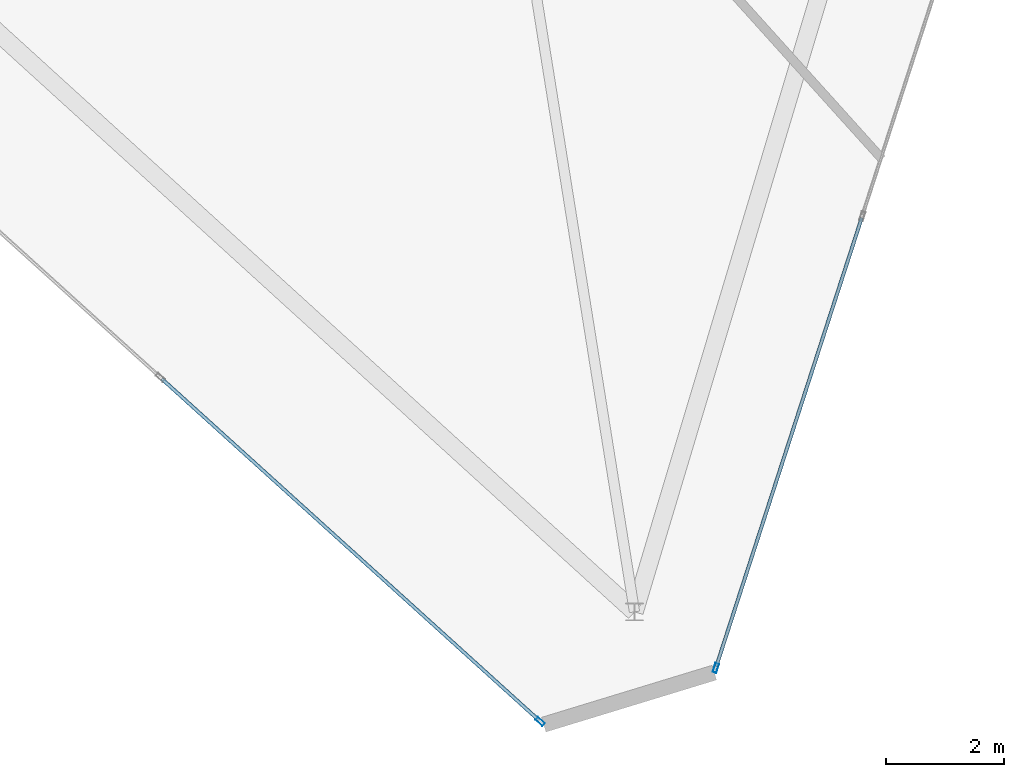
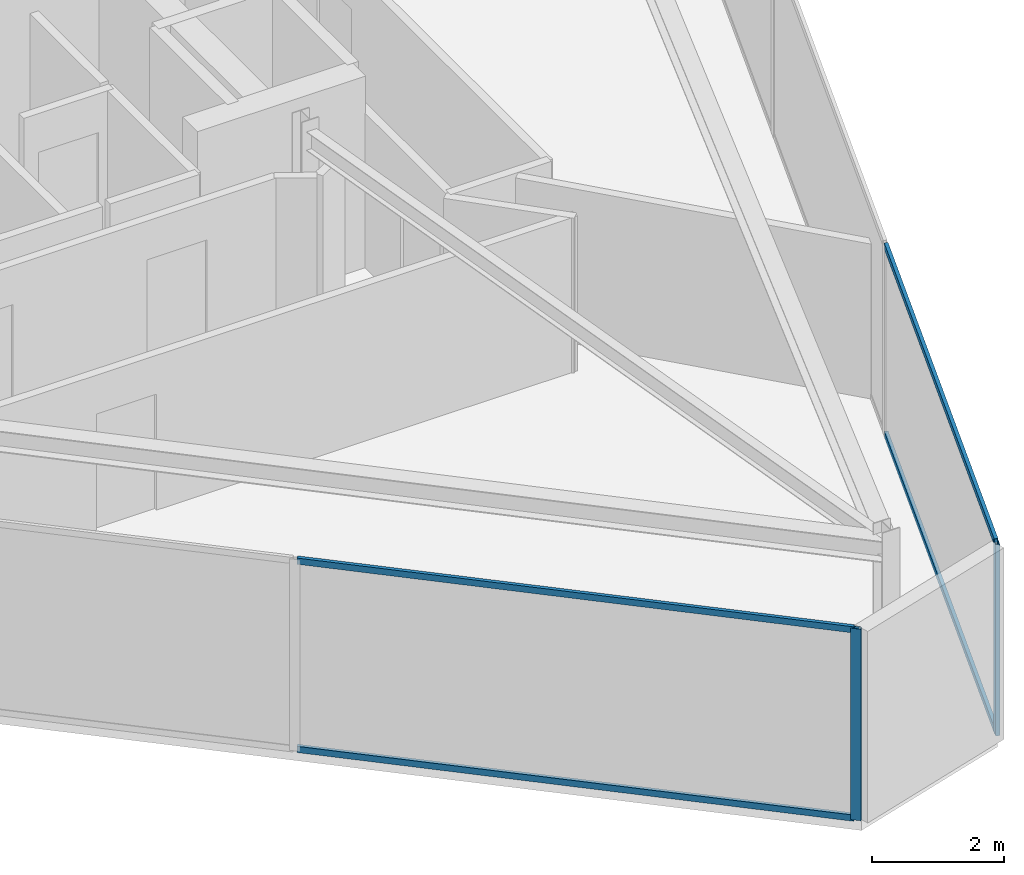
# One storey, part 5 of 16: 6 members, 2 elements without a shape of their own.
"""IFC4 building model written with IfcOpenShell, lengths in metres."""

from ifc_helpers import new_model, si_unit, direction, frame, origin, origin_2d, place, context, subcontext, project, spatial, hollow_rectangle, extrude, material, layer, layer_set, material_profile, profile_set, type_object, element, aggregate, save


model = new_model("IFC4")

# Units and contexts
model_context = context("Model", 3, precision=1e-05, world=origin(), true_north=direction((0.0, 1.0)))
body_context = subcontext(model_context, "Body", "Model", "MODEL_VIEW")
ifc_project = project(units=[si_unit("LENGTHUNIT", "METRE"), si_unit("AREAUNIT", "SQUARE_METRE"), si_unit("VOLUMEUNIT", "CUBIC_METRE"), si_unit("PLANEANGLEUNIT", "RADIAN"), si_unit("MASSUNIT", "GRAM", prefix="KILO")], contexts=[model_context])

# Site, building, storey
site_placement = place(None, origin())
site = spatial("IfcSite", under=ifc_project, at=site_placement, CompositionType="ELEMENT")
building_placement = place(site_placement, origin())
building = spatial("IfcBuilding", under=site, at=building_placement, Name="Qianvela Tower", CompositionType="ELEMENT")
storey_placement = place(building_placement, frame((0.0, 0.0, 367.550048828125)))
storey = spatial("IfcBuildingStorey", under=building, at=storey_placement, Name="L95", CompositionType="ELEMENT", Elevation=367.550048828125)

# Curtain wall, member
ifc_material_1 = material(Name="Anodised Architectural Aluminium and Low-E Glass", Category="aluminium")
ifc_layer = layer(ifc_material_1, 0.159912109375)
ifc_layer_set = layer_set([ifc_layer], Name="Anodised Architectural Aluminium and Low-E Glass")
curtain_wall_type = type_object("IfcCurtainWallType", Name="CW-CROWN", PredefinedType="USERDEFINED", material=ifc_layer_set)
curtain_wall_1_placement = place(storey_placement, origin())
curtain_wall_1 = element("IfcCurtainWall", 1, at=curtain_wall_1_placement, inside=storey, type_object=curtain_wall_type, Name="L95 CW-CROWN Curtain Wall 04", ObjectType="CURTAIN_WALL_SYSTEM", PredefinedType="USERDEFINED")
ifc_material_2 = material(Name="Anodised Architectural Aluminium 6063-T6", Category="aluminium")
ifc_material_profile_1 = material_profile(ifc_material_2, hollow_rectangle(XDim=0.06494140625, YDim=0.159912109375, WallThickness=0.0048828125, at=origin_2d()), Name="ALU-MULL-65x160")
ifc_profile_set_1 = profile_set([ifc_material_profile_1], Name="Anodised Architectural Aluminium 6063-T6")
member_type_1 = type_object("IfcMemberType", Name="CW-CROWN-MULL", PredefinedType="MULLION", material=ifc_profile_set_1)
member_1_placement = place(storey_placement, frame((38.999755859375, 8.163818359375, 0.0), z_axis=(0.0, 0.0, 1.0), x_axis=(0.671204546538, 0.741272188003, 0.0)))
member_1 = element("IfcMember", 2, at=member_1_placement, type_object=member_type_1, Name="CW-8 mullion 4", PredefinedType="MULLION", context=body_context, shape_type="SweptSolid", body=[
    extrude(hollow_rectangle(XDim=0.06494140625, YDim=0.159912109375, WallThickness=0.0048828125, at=origin_2d()), origin(), (0.0, 0.0, 1.0), 3.550048828125),
])

curtain_wall_2_placement = place(storey_placement, origin())
curtain_wall_2 = element("IfcCurtainWall", 3, at=curtain_wall_2_placement, inside=storey, type_object=curtain_wall_type, Name="L95 CW-CROWN Curtain Wall 06", ObjectType="CURTAIN_WALL_SYSTEM", PredefinedType="USERDEFINED")
member_2_placement = place(storey_placement, frame((41.98681640625, 9.072021484375, 0.0), z_axis=(0.0, 0.0, 1.0), x_axis=(-0.951255578594, 0.30840367085, 0.0)))
member_2 = element("IfcMember", 4, at=member_2_placement, type_object=member_type_1, Name="CW-8 mullion 1", PredefinedType="MULLION", context=body_context, shape_type="SweptSolid", body=[
    extrude(hollow_rectangle(XDim=0.06494140625, YDim=0.159912109375, WallThickness=0.0048828125, at=origin_2d()), origin(), (0.0, 0.0, 1.0), 3.550048828125),
])

# Member
ifc_material_3 = material(Name="Anodised Architectural Aluminium 6063-T6", Category="aluminium")
ifc_material_profile_2 = material_profile(ifc_material_3, hollow_rectangle(XDim=0.06005859375, YDim=0.114990234375, WallThickness=0.00390625, at=origin_2d()), Name="ALU-TRAN-60x115")
ifc_profile_set_2 = profile_set([ifc_material_profile_2], Name="Anodised Architectural Aluminium 6063-T6")
member_type_2 = type_object("IfcMemberType", Name="CW-CROWN-TRAN", PredefinedType="USERDEFINED", material=ifc_profile_set_2)
member_3_placement = place(storey_placement, frame((32.566162109375, 13.9892578125, 0.030029296875), z_axis=(0.741278854925, -0.671197183576, 0.0), x_axis=(0.671197183576, 0.741278854925, 0.0)))
member_3 = element("IfcMember", 5, at=member_3_placement, type_object=member_type_2, Name="CW-8 transom 3.1", ObjectType="TRANSOM", PredefinedType="USERDEFINED", context=body_context, shape_type="SweptSolid", body=[
    extrude(hollow_rectangle(XDim=0.06005859375, YDim=0.114990234375, WallThickness=0.00390625, at=origin_2d()), origin(), (0.0, 0.0, 1.0), 8.646484375),
])

member_4_placement = place(storey_placement, frame((32.566162109375, 13.9892578125, 3.52001953125), z_axis=(0.741278854925, -0.671197183576, 0.0), x_axis=(0.671197183576, 0.741278854925, 0.0)))
member_4 = element("IfcMember", 6, at=member_4_placement, type_object=member_type_2, Name="CW-8 transom 3.2", ObjectType="TRANSOM", PredefinedType="USERDEFINED", context=body_context, shape_type="SweptSolid", body=[
    extrude(hollow_rectangle(XDim=0.06005859375, YDim=0.114990234375, WallThickness=0.00390625, at=origin_2d()), origin(), (0.0, 0.0, 1.0), 8.646484375),
])

aggregate(curtain_wall_1, [member_1, member_3, member_4])

member_5_placement = place(storey_placement, frame((41.996826171875, 9.10302734375, 0.030029296875), z_axis=(0.308418997277, 0.951250609524, 0.0), x_axis=(-0.951250609524, 0.308418997277, 0.0)))
member_5 = element("IfcMember", 7, at=member_5_placement, type_object=member_type_2, Name="CW-8 transom 1.1", ObjectType="TRANSOM", PredefinedType="USERDEFINED", context=body_context, shape_type="SweptSolid", body=[
    extrude(hollow_rectangle(XDim=0.06005859375, YDim=0.114990234375, WallThickness=0.00390625, at=origin_2d()), origin(), (0.0, 0.0, 1.0), 8.01171875),
])

member_6_placement = place(storey_placement, frame((41.996826171875, 9.10302734375, 3.52001953125), z_axis=(0.308418997277, 0.951250609524, 0.0), x_axis=(-0.951250609524, 0.308418997277, 0.0)))
member_6 = element("IfcMember", 8, at=member_6_placement, type_object=member_type_2, Name="CW-8 transom 1.2", ObjectType="TRANSOM", PredefinedType="USERDEFINED", context=body_context, shape_type="SweptSolid", body=[
    extrude(hollow_rectangle(XDim=0.06005859375, YDim=0.114990234375, WallThickness=0.00390625, at=origin_2d()), origin(), (0.0, 0.0, 1.0), 8.01171875),
])

aggregate(curtain_wall_2, [member_2, member_5, member_6])

save(model, "model.ifc")
